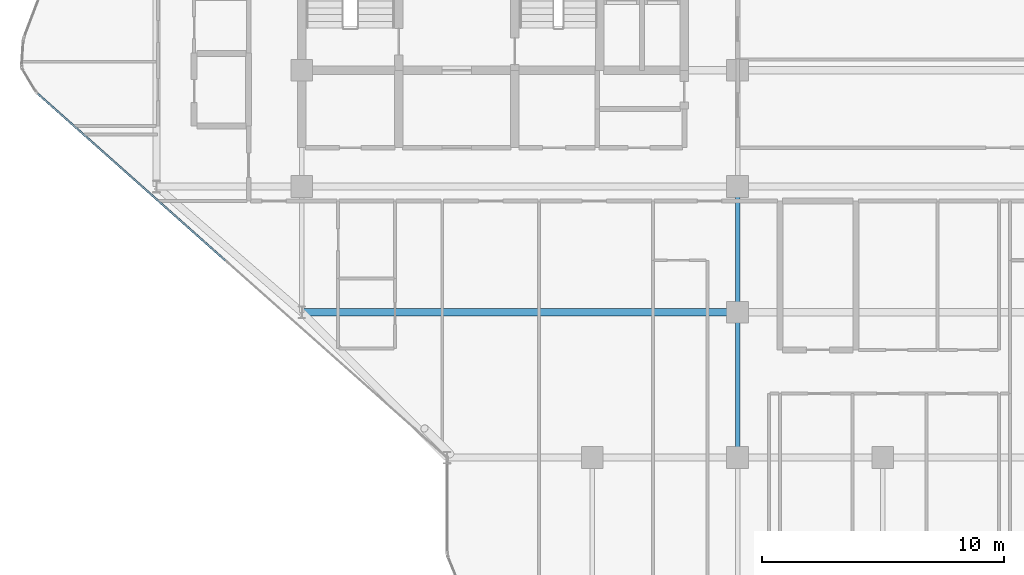
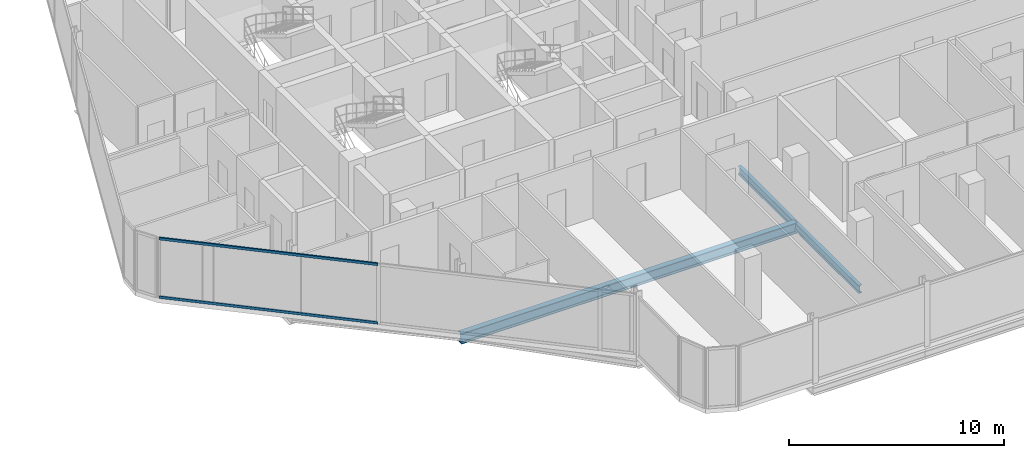
# One storey, part 6 of 32: 3 beams, 2 members, 1 element without a shape of its own.
"""IFC4 building model written with IfcOpenShell, lengths in metres."""

import ifcopenshell
import ifcopenshell.guid

model = None  # the IFC model being written
_history = None  # IfcOwnerHistory: only IFC2X3 demands one
_inside = {}  # id of a spatial element -> (the spatial element, [elements in it])
_under = {}  # id of a project, library or spatial element -> (it, [spatial elements below it])
_declared = {}  # id of a project -> (the project, [libraries it declares])
_typed = {}  # id of a type object -> (the type object, [elements of that type])
_made_of = {}  # id of a material, layer set ... -> (it, [elements and type objects made of it])


def new_model(schema):
    """Start an empty IFC model of exactly this schema.

    Asked for "IFC4X3", IfcOpenShell would pick the latest addendum, in which some entities
    have other attributes; the version numbers below select the first issue.
    IFC2X3 requires an IfcOwnerHistory on every rooted entity: one is made here for all.
    """
    global model, _history
    if schema == "IFC4X3":
        model = ifcopenshell.file(schema_version=(4, 3, 0, 0))
    else:
        model = ifcopenshell.file(schema=schema)
    _inside.clear()
    _under.clear()
    _declared.clear()
    _typed.clear()
    _made_of.clear()
    _history = None
    if model.schema == "IFC2X3":
        org = make("IfcOrganization", Name="unknown")
        user = make(
            "IfcPersonAndOrganization",
            ThePerson=make("IfcPerson", FamilyName="unknown"),
            TheOrganization=org,
        )
        app = make(
            "IfcApplication",
            ApplicationDeveloper=org,
            Version="unknown",
            ApplicationFullName="unknown",
            ApplicationIdentifier="unknown",
        )
        _history = make(
            "IfcOwnerHistory",
            OwningUser=user,
            OwningApplication=app,
            ChangeAction="ADDED",
            CreationDate=0,
        )
    return model


def make(cls, **values):
    """One entity of the class cls with the attributes given. An attribute that is None is left unset."""
    return model.create_entity(
        cls, **{name: value for name, value in values.items() if value is not None}
    )


def rooted(cls, **values):
    """An entity with a GlobalId (a new one), such as an element, a storey or a relation."""
    return make(cls, GlobalId=ifcopenshell.guid.new(), OwnerHistory=_history, **values)


def si_unit(unit_type, name, prefix=None):
    """IfcSIUnit, for example si_unit("LENGTHUNIT", "METRE", prefix="MILLI")."""
    return make("IfcSIUnit", UnitType=unit_type, Prefix=prefix, Name=name)


def assignment(units):
    """IfcUnitAssignment: the units of a project."""
    return None if units is None else make("IfcUnitAssignment", Units=units)


def point(xyz):
    """IfcCartesianPoint."""
    return None if xyz is None else make("IfcCartesianPoint", Coordinates=xyz)


def direction(xyz):
    """IfcDirection."""
    return None if xyz is None else make("IfcDirection", DirectionRatios=xyz)


def frame(location, z_axis=None, x_axis=None):
    """IfcAxis2Placement3D, a coordinate frame: its origin and axes. An axis left out is left unset."""
    return make(
        "IfcAxis2Placement3D",
        Location=point(location),
        Axis=direction(z_axis),
        RefDirection=direction(x_axis),
    )


def frame_2d(location, x_axis=None):
    """IfcAxis2Placement2D, a coordinate frame in the plane: its origin and x axis."""
    return make(
        "IfcAxis2Placement2D", Location=point(location), RefDirection=direction(x_axis)
    )


def origin():
    """The frame at (0, 0, 0) with its axes left unset."""
    return frame((0.0, 0.0, 0.0))


def origin_2d():
    """The frame at (0, 0) in the plane with its x axis left unset."""
    return frame_2d((0.0, 0.0))


def place(relative_to, where):
    """IfcLocalPlacement: puts the frame where relative to a parent placement (None: the world)."""
    return make(
        "IfcLocalPlacement", PlacementRelTo=relative_to, RelativePlacement=where
    )


def context(
    kind, dimensions, precision=None, world=None, true_north=None, identifier=None
):
    """IfcGeometricRepresentationContext, for example the 3D "Model" context."""
    return make(
        "IfcGeometricRepresentationContext",
        ContextIdentifier=identifier,
        ContextType=kind,
        CoordinateSpaceDimension=dimensions,
        Precision=precision,
        WorldCoordinateSystem=world,
        TrueNorth=true_north,
    )


def subcontext(parent, identifier, kind, view, scale=None):
    """IfcGeometricRepresentationSubContext, for example "Body" below "Model"."""
    return make(
        "IfcGeometricRepresentationSubContext",
        ContextIdentifier=identifier,
        ContextType=kind,
        ParentContext=parent,
        TargetScale=scale,
        TargetView=view,
    )


def project(units=None, contexts=None):
    """IfcProject with its units and contexts."""
    return rooted(
        "IfcProject",
        Name="project",
        RepresentationContexts=contexts,
        UnitsInContext=assignment(units),
    )


def spatial(cls, under=None, at=None, **own):
    """A site, building, storey or space (cls), placed at a placement, below another one or the project."""
    s = rooted(cls, ObjectPlacement=at, **own)
    if under is not None:
        _under.setdefault(under.id(), (under, []))[1].append(s)
    return s


def profile(cls, at=None, kind="AREA", **sizes):
    """A parametric profile (cls). Its sizes go by their IFC names, for example OverallWidth=200.0."""
    return make(cls, ProfileType=kind, Position=at, **sizes)


def hollow_rectangle(**sizes):
    """IfcRectangleHollowProfileDef."""
    return profile("IfcRectangleHollowProfileDef", **sizes)


def i_section(**sizes):
    """IfcIShapeProfileDef."""
    return profile("IfcIShapeProfileDef", **sizes)


def extrude(swept, where, along, depth):
    """IfcExtrudedAreaSolid: the profile swept, set in the frame where, extruded along a direction by depth."""
    return make(
        "IfcExtrudedAreaSolid",
        SweptArea=swept,
        Position=where,
        ExtrudedDirection=direction(along),
        Depth=depth,
    )


def shape(context_of_items, identifier, shape_type, items):
    """IfcShapeRepresentation: the items that make up one representation, for example the "Body"."""
    return make(
        "IfcShapeRepresentation",
        ContextOfItems=context_of_items,
        RepresentationIdentifier=identifier,
        RepresentationType=shape_type,
        Items=items,
    )


def material(Name=None, Category=None):
    """IfcMaterial."""
    return make("IfcMaterial", Name=Name, Category=Category)


def layer(
    of_material, thickness, ventilated=None, Name=None, Category=None, Priority=None
):
    """IfcMaterialLayer: one layer of a wall or slab, of a material (None: an air gap)."""
    return make(
        "IfcMaterialLayer",
        Material=of_material,
        LayerThickness=thickness,
        IsVentilated=ventilated,
        Name=Name,
        Category=Category,
        Priority=Priority,
    )


def layer_set(layers, Name=None):
    """IfcMaterialLayerSet."""
    return make("IfcMaterialLayerSet", MaterialLayers=layers, LayerSetName=Name)


def material_profile(
    of_material, cross_section, Name=None, Category=None, Priority=None
):
    """IfcMaterialProfile: a cross section and its material."""
    return make(
        "IfcMaterialProfile",
        Name=Name,
        Material=of_material,
        Profile=cross_section,
        Priority=Priority,
        Category=Category,
    )


def profile_set(profiles, Name=None, composite=None):
    """IfcMaterialProfileSet."""
    return make(
        "IfcMaterialProfileSet",
        Name=Name,
        MaterialProfiles=profiles,
        CompositeProfile=composite,
    )


def made_of(thing, what):
    """Note that an element or type object is made of a material, layer set ...; save() writes the relation."""
    if what is not None:
        _made_of.setdefault(what.id(), (what, []))[1].append(thing)
    return thing


def type_object(cls, material=None, **own):
    """A type object (cls), such as IfcWallType, which elements share."""
    return made_of(rooted(cls, **own), material)


def element(
    cls,
    number,
    at=None,
    inside=None,
    cuts=None,
    type_object=None,
    material=None,
    context=None,
    identifier="Body",
    shape_type=None,
    held_by="IfcProductDefinitionShape",
    body=None,
    shapes=None,
    **own,
):
    """One element of the class cls, such as IfcWall. Its Tag is "e" and its number.

    at: its placement. inside: the storey or other place that contains it. cuts: it is an
    opening in that element (IfcRelVoidsElement). A single representation is given by context,
    identifier, shape_type and body (its items); several are given by shapes. held_by: the class
    of the entity that holds the representations. save() writes the other relations.
    """
    e = rooted(cls, Tag="e%d" % number, ObjectPlacement=at, **own)
    if body is not None:
        shapes = [shape(context, identifier, shape_type, body)]
    if shapes is not None:
        e.Representation = make(held_by, Representations=shapes)
    if inside is not None:
        _inside.setdefault(inside.id(), (inside, []))[1].append(e)
    if cuts is not None:
        rooted(
            "IfcRelVoidsElement", RelatingBuildingElement=cuts, RelatedOpeningElement=e
        )
    if type_object is not None:
        _typed.setdefault(type_object.id(), (type_object, []))[1].append(e)
    return made_of(e, material)


def aggregate(whole, parts):
    """IfcRelAggregates: a whole, such as a stair, and the parts it consists of."""
    return rooted("IfcRelAggregates", RelatingObject=whole, RelatedObjects=parts)


def save(model, path):
    """Write the relations noted so far, then the file.

    IfcRelAggregates (storeys below a building ...), IfcRelContainedInSpatialStructure (elements
    in a storey), IfcRelDefinesByType, IfcRelAssociatesMaterial and IfcRelDeclares: one each for
    every whole, place, type object, material and project.
    """
    for whole, parts in _under.values():
        aggregate(whole, parts)
    for where, things in _inside.values():
        rooted(
            "IfcRelContainedInSpatialStructure",
            RelatedElements=things,
            RelatingStructure=where,
        )
    for kind, things in _typed.values():
        rooted("IfcRelDefinesByType", RelatedObjects=things, RelatingType=kind)
    for what, things in _made_of.values():
        rooted("IfcRelAssociatesMaterial", RelatedObjects=things, RelatingMaterial=what)
    for by, libraries in _declared.values():
        rooted("IfcRelDeclares", RelatingContext=by, RelatedDefinitions=libraries)
    model.write(path)


model = new_model("IFC4")

# Units and contexts
model_context = context("Model", 3, precision=1e-05, world=origin(), true_north=direction((0.0, 1.0)))
body_context = subcontext(model_context, "Body", "Model", "MODEL_VIEW")
ifc_project = project(units=[si_unit("LENGTHUNIT", "METRE"), si_unit("AREAUNIT", "SQUARE_METRE"), si_unit("VOLUMEUNIT", "CUBIC_METRE"), si_unit("PLANEANGLEUNIT", "RADIAN"), si_unit("MASSUNIT", "GRAM", prefix="KILO")], contexts=[model_context])

# Site, building, storey
site_placement = place(None, origin())
site = spatial("IfcSite", under=ifc_project, at=site_placement, CompositionType="ELEMENT")
building_placement = place(site_placement, origin())
building = spatial("IfcBuilding", under=site, at=building_placement, Name="Keshet Zoharim Tower", CompositionType="ELEMENT")
storey_placement = place(building_placement, frame((0.0, 0.0, 137.199951171875)))
storey = spatial("IfcBuildingStorey", under=building, at=storey_placement, Name="L33", CompositionType="ELEMENT", Elevation=137.199951171875)

# Beams
ifc_material_1 = material(Name="Steel S355", Category="steel")
ifc_material_profile_1 = material_profile(ifc_material_1, i_section(OverallWidth=0.300048828125, OverallDepth=0.60009765625, WebThickness=0.015380859375, FlangeThickness=0.030029296875, FilletRadius=0.027099609375, at=origin_2d()), Name="HEB600")
ifc_profile_set_1 = profile_set([ifc_material_profile_1], Name="Steel S355")
beam_type_1 = type_object("IfcBeamType", Name="BM-LNG-HB600", PredefinedType="BEAM", material=ifc_profile_set_1)
beam_1_placement = place(storey_placement, frame((15.0, 12.699951171875, -0.614990234375), z_axis=(1.0, 0.0, 0.0), x_axis=(0.0, 1.0, 0.0)))
element("IfcBeam", 1, at=beam_1_placement, inside=storey, type_object=beam_type_1, Name="L33 Primary Girder X-009", PredefinedType="BEAM", context=body_context, shape_type="SweptSolid", body=[
    extrude(i_section(OverallWidth=0.300048828125, OverallDepth=0.60009765625, WebThickness=0.015380859375, FlangeThickness=0.030029296875, FilletRadius=0.027099609375, at=origin_2d()), origin(), (0.0, 0.0, 1.0), 18.0),
])
ifc_material_profile_2 = material_profile(ifc_material_1, i_section(OverallWidth=0.18994140625, OverallDepth=0.449951171875, WebThickness=0.009521484375, FlangeThickness=0.0146484375, FilletRadius=0.02099609375, at=origin_2d()), Name="IPE450")
ifc_profile_set_2 = profile_set([ifc_material_profile_2], Name="Steel S355")
beam_type_2 = type_object("IfcBeamType", Name="BM-PRI-IP450", PredefinedType="BEAM", material=ifc_profile_set_2)
beam_2_placement = place(storey_placement, frame((33.0, 6.699951171875, -0.5400390625), z_axis=(0.0, 1.0, 0.0), x_axis=(-1.0, 0.0, 0.0)))
element("IfcBeam", 2, at=beam_2_placement, inside=storey, type_object=beam_type_2, Name="L33 Primary Girder Y-006", PredefinedType="BEAM", context=body_context, shape_type="SweptSolid", body=[
    extrude(i_section(OverallWidth=0.18994140625, OverallDepth=0.449951171875, WebThickness=0.009521484375, FlangeThickness=0.0146484375, FilletRadius=0.02099609375, at=origin_2d()), origin(), (0.0, 0.0, 1.0), 6.0),
])
beam_3_placement = place(storey_placement, frame((33.0, 12.699951171875, -0.5400390625), z_axis=(0.0, 1.0, 0.0), x_axis=(-1.0, 0.0, 0.0)))
element("IfcBeam", 3, at=beam_3_placement, inside=storey, type_object=beam_type_2, Name="L33 Primary Girder Y-007", PredefinedType="BEAM", context=body_context, shape_type="SweptSolid", body=[
    extrude(i_section(OverallWidth=0.18994140625, OverallDepth=0.449951171875, WebThickness=0.009521484375, FlangeThickness=0.0146484375, FilletRadius=0.02099609375, at=origin_2d()), origin(), (0.0, 0.0, 1.0), 5.199951171875),
])

# Curtain wall, members
ifc_material_2 = material(Name="Aluminium 6063-T6", Category="aluminium")
ifc_layer = layer(ifc_material_2, 0.159912109375)
ifc_layer_set = layer_set([ifc_layer], Name="Aluminium 6063-T6")
curtain_wall_type = type_object("IfcCurtainWallType", Name="CW-SYS-03", PredefinedType="NOTDEFINED", material=ifc_layer_set)
curtain_wall_placement = place(storey_placement, origin())
curtain_wall = element("IfcCurtainWall", 4, at=curtain_wall_placement, inside=storey, type_object=curtain_wall_type, Name="L33 Unitised Curtain Wall 07 Part 2", PredefinedType="NOTDEFINED")
ifc_material_profile_3 = material_profile(ifc_material_2, hollow_rectangle(XDim=0.080078125, YDim=0.139892578125, WallThickness=0.00390625, at=origin_2d()), Name="TRN-80x140")
ifc_profile_set_3 = profile_set([ifc_material_profile_3], Name="Aluminium 6063-T6")
member_type = type_object("IfcMemberType", Name="CWT-T14", PredefinedType="USERDEFINED", material=ifc_profile_set_3)
member_1_placement = place(storey_placement, frame((11.8388671875, 14.84326171875, 0.03515625), z_axis=(-0.747411916254, 0.664360916552, 0.0), x_axis=(-0.664360916552, -0.747411916254, 0.0)))
member_1 = element("IfcMember", 5, at=member_1_placement, type_object=member_type, Name="CW-03 transom 2.1", ObjectType="TRANSOM", PredefinedType="USERDEFINED", context=body_context, shape_type="SweptSolid", body=[
    extrude(hollow_rectangle(XDim=0.080078125, YDim=0.139892578125, WallThickness=0.00390625, at=origin_2d()), origin(), (0.0, 0.0, 1.0), 10.37109375),
])
member_2_placement = place(storey_placement, frame((11.8388671875, 14.84326171875, 3.35009765625), z_axis=(-0.747411916254, 0.664360916552, 0.0), x_axis=(-0.664360916552, -0.747411916254, 0.0)))
member_2 = element("IfcMember", 6, at=member_2_placement, type_object=member_type, Name="CW-03 transom 2.2", ObjectType="TRANSOM", PredefinedType="USERDEFINED", context=body_context, shape_type="SweptSolid", body=[
    extrude(hollow_rectangle(XDim=0.080078125, YDim=0.139892578125, WallThickness=0.00390625, at=origin_2d()), origin(), (0.0, 0.0, 1.0), 10.37109375),
])
aggregate(curtain_wall, [member_1, member_2])

save(model, "model.ifc")
